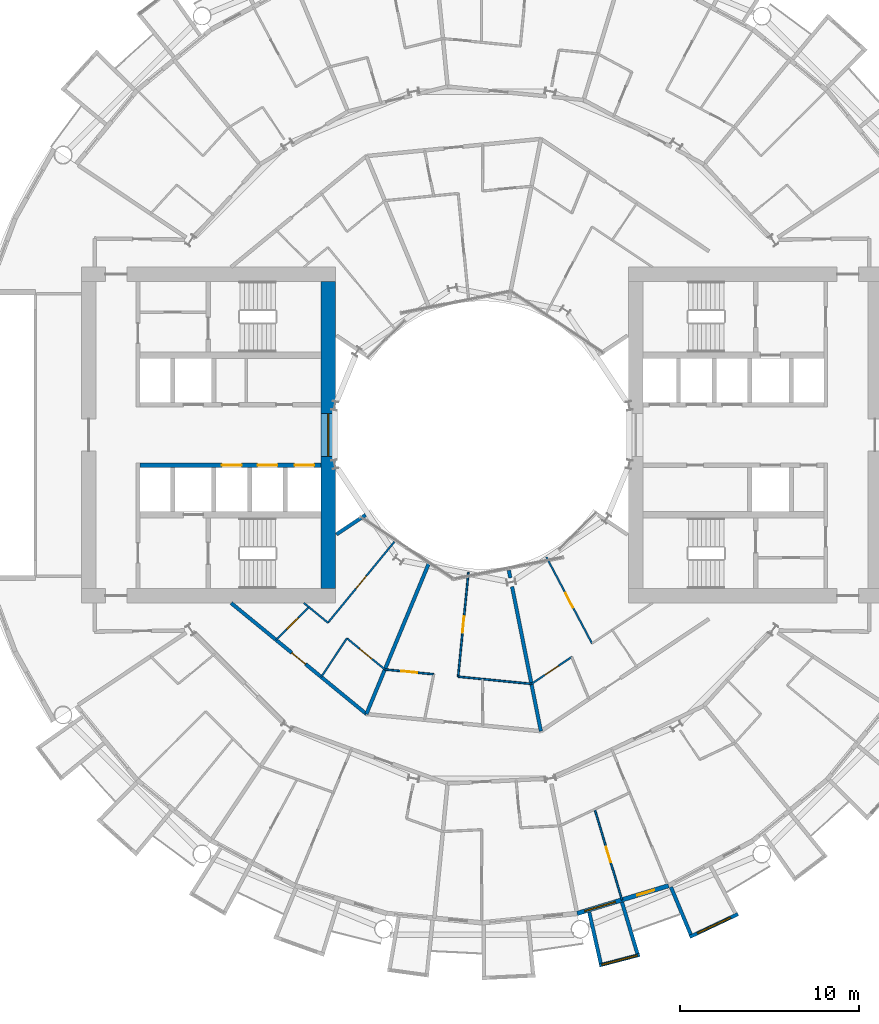
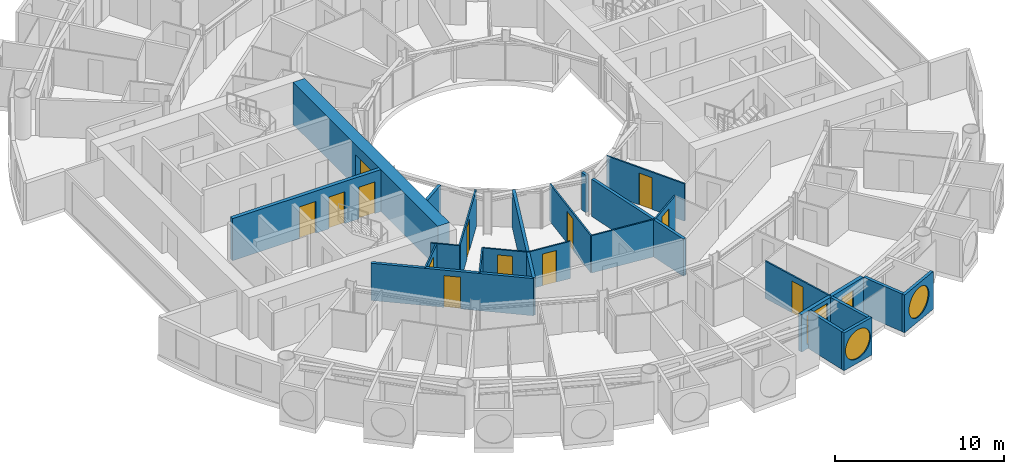
# One storey, part 15 of 26: 24 walls, 13 doors, 4 windows, 17 openings.
"""IFC4 building model written with IfcOpenShell, lengths in metres."""

from ifc_helpers import new_model, si_unit, direction, frame, frame_2d, origin, place, context, subcontext, project, spatial, rectangle, circle, extrude, material, layer, layer_set, type_object, element, fill, save


model = new_model("IFC4")

# Units and contexts
model_context = context("Model", 3, precision=1e-05, world=origin(), true_north=direction((0.0, 1.0)))
body_context = subcontext(model_context, "Body", "Model", "MODEL_VIEW")
ifc_project = project(units=[si_unit("LENGTHUNIT", "METRE"), si_unit("AREAUNIT", "SQUARE_METRE"), si_unit("VOLUMEUNIT", "CUBIC_METRE"), si_unit("PLANEANGLEUNIT", "RADIAN"), si_unit("MASSUNIT", "GRAM", prefix="KILO")], contexts=[model_context])

# Site, building, storey
site_placement = place(None, origin())
site = spatial("IfcSite", under=ifc_project, at=site_placement, CompositionType="ELEMENT")
building_placement = place(site_placement, origin())
building = spatial("IfcBuilding", under=site, at=building_placement, Name="Maasbend Ring Residences", CompositionType="ELEMENT")
storey_placement = place(building_placement, frame((0.0, 0.0, 22.800048828125)))
storey = spatial("IfcBuildingStorey", under=building, at=storey_placement, Name="L05", CompositionType="ELEMENT", Elevation=22.800048828125)

# Wall, openings, doors
ifc_material_1 = material(Name="Concrete C70/85", Category="concrete")
ifc_layer_1 = layer(ifc_material_1, 0.25)
ifc_layer_set_1 = layer_set([ifc_layer_1], Name="Concrete C70/85")
wall_type_1 = type_object("IfcWallType", Name="CORE WALL 250 C70/85", PredefinedType="SHEAR", material=ifc_layer_set_1)
wall_1_placement = place(storey_placement, frame((-9.0, -1.699951171875, 0.0), z_axis=(0.0, 0.0, 1.0), x_axis=(-1.0, 0.0, 0.0)))
wall_1 = element("IfcWall", 1, at=wall_1_placement, inside=storey, type_object=wall_type_1, Name="L05 core W wall SPN", PredefinedType="SHEAR", context=body_context, shape_type="SweptSolid", body=[
    extrude(rectangle(XDim=10.14990234375, YDim=0.25, at=frame_2d((5.074951171875, 0.0))), origin(), (0.0, 0.0, 1.0), 3.050048828125),
])
opening_1_placement = place(wall_1_placement, frame((0.387451171875, 0.0, 0.0)))
opening_1 = element("IfcOpeningElement", 2, at=opening_1_placement, cuts=wall_1, Name="Opening LD-W0501", PredefinedType="OPENING", context=body_context, shape_type="SweptSolid", body=[
    extrude(rectangle(XDim=1.10009765625, YDim=2.300048828125, at=frame_2d((0.550048828125, 1.14990234375))), frame((0.0, 0.135009765625, 0.0), z_axis=(0.0, -1.0, 0.0), x_axis=(1.0, 0.0, 0.0)), (0.0, 0.0, 1.0), 0.27001953125),
])
opening_2_placement = place(wall_1_placement, frame((2.449951171875, 0.0, 0.0)))
opening_2 = element("IfcOpeningElement", 3, at=opening_2_placement, cuts=wall_1, Name="Opening LD-W0502", PredefinedType="OPENING", context=body_context, shape_type="SweptSolid", body=[
    extrude(rectangle(XDim=1.10009765625, YDim=2.300048828125, at=frame_2d((0.550048828125, 1.14990234375))), frame((0.0, 0.135009765625, 0.0), z_axis=(0.0, -1.0, 0.0), x_axis=(1.0, 0.0, 0.0)), (0.0, 0.0, 1.0), 0.27001953125),
])
opening_3_placement = place(wall_1_placement, frame((4.449951171875, 0.0, 0.0)))
opening_3 = element("IfcOpeningElement", 4, at=opening_3_placement, cuts=wall_1, Name="Opening LD-W0503", PredefinedType="OPENING", context=body_context, shape_type="SweptSolid", body=[
    extrude(rectangle(XDim=1.10009765625, YDim=2.300048828125, at=frame_2d((0.550048828125, 1.14990234375))), frame((0.0, 0.135009765625, 0.0), z_axis=(0.0, -1.0, 0.0), x_axis=(1.0, 0.0, 0.0)), (0.0, 0.0, 1.0), 0.27001953125),
])
ifc_material_2 = material(Name="Stainless steel 316", Category="steel")
door_type_1 = type_object("IfcDoorType", Name="LANDING DOOR 1100 X 2300 FD60", OperationType="DOUBLE_DOOR_SLIDING", PredefinedType="DOOR", material=ifc_material_2)
door_1_placement = place(opening_1_placement, origin())
door_1 = element("IfcDoor", 5, at=door_1_placement, inside=storey, type_object=door_type_1, Name="Landing door LR-W1 L05", OperationType="DOUBLE_DOOR_SLIDING", OverallHeight=2.300048828125, OverallWidth=1.10009765625, PredefinedType="DOOR", context=body_context, shape_type="SweptSolid", body=[
    extrude(rectangle(XDim=1.10009765625, YDim=2.300048828125, at=frame_2d((0.550048828125, 1.14990234375))), frame((0.0, 0.02490234375, 0.0), z_axis=(0.0, -1.0, 0.0), x_axis=(1.0, 0.0, 0.0)), (0.0, 0.0, 1.0), 0.050048828125),
])
fill(opening_1, door_1)
door_2_placement = place(opening_2_placement, origin())
door_2 = element("IfcDoor", 6, at=door_2_placement, inside=storey, type_object=door_type_1, Name="Landing door LR-W2 L05", OperationType="DOUBLE_DOOR_SLIDING", OverallHeight=2.300048828125, OverallWidth=1.10009765625, PredefinedType="DOOR", context=body_context, shape_type="SweptSolid", body=[
    extrude(rectangle(XDim=1.10009765625, YDim=2.300048828125, at=frame_2d((0.550048828125, 1.14990234375))), frame((0.0, 0.02490234375, 0.0), z_axis=(0.0, -1.0, 0.0), x_axis=(1.0, 0.0, 0.0)), (0.0, 0.0, 1.0), 0.050048828125),
])
fill(opening_2, door_2)
door_3_placement = place(opening_3_placement, origin())
door_3 = element("IfcDoor", 7, at=door_3_placement, inside=storey, type_object=door_type_1, Name="Landing door LR-W3 L05", OperationType="DOUBLE_DOOR_SLIDING", OverallHeight=2.300048828125, OverallWidth=1.10009765625, PredefinedType="DOOR", context=body_context, shape_type="SweptSolid", body=[
    extrude(rectangle(XDim=1.10009765625, YDim=2.300048828125, at=frame_2d((0.550048828125, 1.14990234375))), frame((0.0, 0.02490234375, 0.0), z_axis=(0.0, -1.0, 0.0), x_axis=(1.0, 0.0, 0.0)), (0.0, 0.0, 1.0), 0.050048828125),
])
fill(opening_3, door_3)

# Wall, opening, window
ifc_material_3 = material(Name="Concrete C70/85", Category="concrete")
ifc_layer_2 = layer(ifc_material_3, 0.800048828125)
ifc_layer_set_2 = layer_set([ifc_layer_2], Name="Concrete C70/85")
wall_type_2 = type_object("IfcWallType", Name="CORE WALL 800 C70/85", PredefinedType="SHEAR", material=ifc_layer_set_2)
wall_2_placement = place(storey_placement, frame((-8.60009765625, 8.60009765625, 0.0), z_axis=(0.0, 0.0, 1.0), x_axis=(0.0, -1.0, 0.0)))
wall_2 = element("IfcWall", 8, at=wall_2_placement, inside=storey, type_object=wall_type_2, Name="L05 core W wall PIN", PredefinedType="SHEAR", context=body_context, shape_type="SweptSolid", body=[
    extrude(rectangle(XDim=17.2001953125, YDim=0.800048828125, at=frame_2d((8.60009765625, 0.0))), origin(), (0.0, 0.0, 1.0), 3.050048828125),
])
opening_4_placement = place(wall_2_placement, frame((7.39990234375, 0.0, 0.10009765625)))
opening_4 = element("IfcOpeningElement", 9, at=opening_4_placement, cuts=wall_2, Name="Opening W-W0501", PredefinedType="OPENING", context=body_context, shape_type="SweptSolid", body=[
    extrude(rectangle(XDim=2.39990234375, YDim=2.199951171875, at=frame_2d((1.199951171875, 1.10009765625))), frame((0.0, 0.41015625, 0.0), z_axis=(0.0, -1.0, 0.0), x_axis=(1.0, 0.0, 0.0)), (0.0, 0.0, 1.0), 0.820068359375),
])
ifc_material_4 = material(Name="Aluminium frame and clear glass", Category="aluminium")
window_type_1 = type_object("IfcWindowType", Name="FIXED WINDOW 2400 X 2200", PartitioningType="SINGLE_PANEL", PredefinedType="WINDOW", material=ifc_material_4)
window_1_placement = place(opening_4_placement, origin())
window_1 = element("IfcWindow", 10, at=window_1_placement, inside=storey, type_object=window_type_1, Name="Lobby window L05", OverallHeight=2.199951171875, OverallWidth=2.39990234375, PartitioningType="SINGLE_PANEL", PredefinedType="WINDOW", context=body_context, shape_type="SweptSolid", body=[
    extrude(rectangle(XDim=2.39990234375, YDim=2.199951171875, at=frame_2d((1.199951171875, 1.10009765625))), frame((0.0, 0.030029296875, 0.0), z_axis=(0.0, -1.0, 0.0), x_axis=(1.0, 0.0, 0.0)), (0.0, 0.0, 1.0), 0.06005859375),
])
fill(opening_4, window_1)

# Wall, opening, door
ifc_material_5 = material(Name="Concrete C30/37", Category="concrete")
ifc_layer_3 = layer(ifc_material_5, 0.199951171875)
ifc_layer_set_3 = layer_set([ifc_layer_3], Name="Concrete C30/37")
wall_type_3 = type_object("IfcWallType", Name="CORRIDOR WALL 200 CONCRETE", PredefinedType="PARTITIONING", material=ifc_layer_set_3)
wall_3_placement = place(storey_placement, frame((-14.0380859375, -9.402099609375, 0.0), z_axis=(0.0, 0.0, 1.0), x_axis=(0.773084654695, -0.634302858794, 0.0)))
wall_3 = element("IfcWall", 11, at=wall_3_placement, inside=storey, type_object=wall_type_3, Name="U-L05-w018", PredefinedType="PARTITIONING", context=body_context, shape_type="SweptSolid", body=[
    extrude(rectangle(XDim=9.793212890625, YDim=0.199951171875, at=frame_2d((4.896484375, 0.0))), origin(), (0.0, 0.0, 1.0), 2.699951171875),
])
opening_5_placement = place(wall_3_placement, frame((4.386962890625, 0.0, 0.0)))
opening_5 = element("IfcOpeningElement", 12, at=opening_5_placement, cuts=wall_3, Name="Opening D-0553", PredefinedType="OPENING", context=body_context, shape_type="SweptSolid", body=[
    extrude(rectangle(XDim=1.0, YDim=2.300048828125, at=frame_2d((0.5, 1.14990234375))), frame((0.0, 0.10986328125, 0.0), z_axis=(0.0, -1.0, 0.0), x_axis=(1.0, 0.0, 0.0)), (0.0, 0.0, 1.0), 0.219970703125),
])
ifc_material_6 = material(Name="Timber, fire-rated, painted", Category="wood")
door_type_2 = type_object("IfcDoorType", Name="FLAT ENTRANCE DOOR 1000 X 2300 FIRE-RATED", OperationType="NOTDEFINED", PredefinedType="DOOR", material=ifc_material_6)
door_4_placement = place(opening_5_placement, origin())
door_4 = element("IfcDoor", 13, at=door_4_placement, inside=storey, type_object=door_type_2, Name="D-0553", OperationType="SINGLE_SWING_LEFT", OverallHeight=2.300048828125, OverallWidth=1.0, PredefinedType="DOOR", context=body_context, shape_type="SweptSolid", body=[
    extrude(rectangle(XDim=1.0, YDim=2.300048828125, at=frame_2d((0.5, 1.14990234375))), frame((0.0, 0.02490234375, 0.0), z_axis=(0.0, -1.0, 0.0), x_axis=(1.0, 0.0, 0.0)), (0.0, 0.0, 1.0), 0.050048828125),
])
fill(opening_5, door_4)

# Wall, opening, window
ifc_material_7 = material(Name="Pale anodised aluminium panel", Category="aluminium")
ifc_layer_4 = layer(ifc_material_7, 0.199951171875)
ifc_layer_set_4 = layer_set([ifc_layer_4], Name="EW-BOX")
wall_type_4 = type_object("IfcWallType", Name="EW-BOX", PredefinedType="SOLIDWALL", material=ifc_layer_set_4)
wall_4_placement = place(storey_placement, frame((6.568115234375, -29.681884765625, -0.030029296875), z_axis=(0.0, 0.0, 1.0), x_axis=(0.967377102346, 0.253340762326, 0.0)))
wall_4 = element("IfcWall", 14, at=wall_4_placement, inside=storey, type_object=wall_type_4, Name="Box front S13", PredefinedType="SOLIDWALL", context=body_context, shape_type="SweptSolid", body=[
    extrude(rectangle(XDim=2.3359375, YDim=0.199951171875, at=frame_2d((1.16796875, 0.0))), origin(), (0.0, 0.0, 1.0), 2.72998046875),
])
opening_6_placement = place(wall_4_placement, frame((0.128173828125, 0.0, 0.330078125)))
opening_6 = element("IfcOpeningElement", 15, at=opening_6_placement, cuts=wall_4, Name="Opening W-RD", PredefinedType="OPENING", context=body_context, shape_type="SweptSolid", body=[
    extrude(circle(Radius=1.0400390625, at=frame_2d((1.0400390625, 1.0400390625))), frame((0.0, 0.10986328125, 0.0), z_axis=(0.0, -1.0, 0.0), x_axis=(1.0, 0.0, 0.0)), (0.0, 0.0, 1.0), 0.219970703125),
])
ifc_material_8 = material(Name="Aluminium and clear glass", Category="aluminium")
window_type_2 = type_object("IfcWindowType", Name="W-RD", PartitioningType="SINGLE_PANEL", PredefinedType="WINDOW", material=ifc_material_8)
window_2_placement = place(opening_6_placement, origin())
window_2 = element("IfcWindow", 16, at=window_2_placement, inside=storey, type_object=window_type_2, Name="Round window S13", OverallHeight=2.080078125, OverallWidth=2.080078125, PartitioningType="SINGLE_PANEL", PredefinedType="WINDOW", context=body_context, shape_type="SweptSolid", body=[
    extrude(circle(Radius=1.0400390625, at=frame_2d((1.0400390625, 1.0400390625))), frame((0.0, 0.030029296875, 0.0), z_axis=(0.0, -1.0, 0.0), x_axis=(1.0, 0.0, 0.0)), (0.0, 0.0, 1.0), 0.06005859375),
])
fill(opening_6, window_2)

# Walls
wall_5_placement = place(storey_placement, frame((6.00390625, -26.699951171875, -0.030029296875), z_axis=(0.0, 0.0, 1.0), x_axis=(0.219609259383, -0.975587911566, 0.0)))
element("IfcWall", 17, at=wall_5_placement, inside=storey, type_object=wall_type_4, Name="Box side wall S13 left", PredefinedType="SOLIDWALL", context=body_context, shape_type="SweptSolid", body=[
    extrude(rectangle(XDim=2.9326171875, YDim=0.199951171875, at=frame_2d((1.46630859375, 0.0))), origin(), (0.0, 0.0, 1.0), 2.72998046875),
])
wall_6_placement = place(storey_placement, frame((7.8369140625, -26.14404296875, -0.030029296875), z_axis=(0.0, 0.0, 1.0), x_axis=(0.287064767992, -0.957911174889, 0.0)))
element("IfcWall", 18, at=wall_6_placement, inside=storey, type_object=wall_type_4, Name="Box side wall S13 right", PredefinedType="SOLIDWALL", context=body_context, shape_type="SweptSolid", body=[
    extrude(rectangle(XDim=3.00634765625, YDim=0.199951171875, at=frame_2d((1.503173828125, 0.0))), origin(), (0.0, 0.0, 1.0), 2.72998046875),
])

# Wall, opening, window
wall_7_placement = place(storey_placement, frame((11.62890625, -28.087890625, -0.030029296875), z_axis=(0.0, 0.0, 1.0), x_axis=(0.904000060331, 0.427532327342, 0.0)))
wall_7 = element("IfcWall", 19, at=wall_7_placement, inside=storey, type_object=wall_type_4, Name="Box front S15", PredefinedType="SOLIDWALL", context=body_context, shape_type="SweptSolid", body=[
    extrude(rectangle(XDim=2.993408203125, YDim=0.199951171875, at=frame_2d((1.49658203125, 0.0))), origin(), (0.0, 0.0, 1.0), 2.72998046875),
])
opening_7_placement = place(wall_7_placement, frame((0.45654296875, 0.0, 0.330078125)))
opening_7 = element("IfcOpeningElement", 20, at=opening_7_placement, cuts=wall_7, Name="Opening W-RD", PredefinedType="OPENING", context=body_context, shape_type="SweptSolid", body=[
    extrude(circle(Radius=1.0400390625, at=frame_2d((1.0400390625, 1.0400390625))), frame((0.0, 0.10986328125, 0.0), z_axis=(0.0, -1.0, 0.0), x_axis=(1.0, 0.0, 0.0)), (0.0, 0.0, 1.0), 0.219970703125),
])
window_3_placement = place(opening_7_placement, origin())
window_3 = element("IfcWindow", 21, at=window_3_placement, inside=storey, type_object=window_type_2, Name="Round window S15", OverallHeight=2.080078125, OverallWidth=2.080078125, PartitioningType="SINGLE_PANEL", PredefinedType="WINDOW", context=body_context, shape_type="SweptSolid", body=[
    extrude(circle(Radius=1.0400390625, at=frame_2d((1.0400390625, 1.0400390625))), frame((0.0, 0.030029296875, 0.0), z_axis=(0.0, -1.0, 0.0), x_axis=(1.0, 0.0, 0.0)), (0.0, 0.0, 1.0), 0.06005859375),
])
fill(opening_7, window_3)

# Wall
wall_8_placement = place(storey_placement, frame((10.574951171875, -25.294921875, -0.030029296875), z_axis=(0.0, 0.0, 1.0), x_axis=(0.385697364644, -0.922625353492, 0.0)))
element("IfcWall", 22, at=wall_8_placement, inside=storey, type_object=wall_type_4, Name="Box side wall S15 left", PredefinedType="SOLIDWALL", context=body_context, shape_type="SweptSolid", body=[
    extrude(rectangle(XDim=2.88330078125, YDim=0.199951171875, at=frame_2d((1.441650390625, 0.0))), origin(), (0.0, 0.0, 1.0), 2.72998046875),
])

# Wall, openings, door, window
ifc_material_9 = material(Name="Aluminium clad insulated panel", Category="aluminium")
ifc_layer_5 = layer(ifc_material_9, 0.25)
ifc_layer_set_5 = layer_set([ifc_layer_5], Name="EW-GL")
wall_type_5 = type_object("IfcWallType", Name="EW-GL", PredefinedType="SOLIDWALL", material=ifc_layer_set_5)
wall_9_placement = place(storey_placement, frame((5.325927734375, -26.77490234375, 0.0), z_axis=(0.0, 0.0, 1.0), x_axis=(0.956965678721, 0.290201119486, 0.0)))
wall_9 = element("IfcWall", 23, at=wall_9_placement, inside=storey, type_object=wall_type_5, Name="External wall S07", PredefinedType="SOLIDWALL", context=body_context, shape_type="SweptSolid", body=[
    extrude(rectangle(XDim=5.351318359375, YDim=0.25, at=frame_2d((2.67578125, 0.0))), origin(), (0.0, 0.0, 1.0), 2.699951171875),
])
opening_8_placement = place(wall_9_placement, frame((0.441162109375, 0.0, 0.300048828125)))
opening_8 = element("IfcOpeningElement", 24, at=opening_8_placement, cuts=wall_9, Name="Opening W-BX", PredefinedType="OPENING", context=body_context, shape_type="SweptSolid", body=[
    extrude(rectangle(XDim=1.800048828125, YDim=2.10009765625, at=frame_2d((0.89990234375, 1.050048828125))), frame((0.0, 0.135009765625, 0.0), z_axis=(0.0, -1.0, 0.0), x_axis=(1.0, 0.0, 0.0)), (0.0, 0.0, 1.0), 0.27001953125),
])
opening_9_placement = place(wall_9_placement, frame((3.510498046875, 0.0, 0.0)))
opening_9 = element("IfcOpeningElement", 25, at=opening_9_placement, cuts=wall_9, Name="Opening D-LG", PredefinedType="OPENING", context=body_context, shape_type="SweptSolid", body=[
    extrude(rectangle(XDim=1.0, YDim=2.199951171875, at=frame_2d((0.5, 1.10009765625))), frame((0.0, 0.135009765625, 0.0), z_axis=(0.0, -1.0, 0.0), x_axis=(1.0, 0.0, 0.0)), (0.0, 0.0, 1.0), 0.27001953125),
])
ifc_material_10 = material(Name="Aluminium and clear glass", Category="aluminium")
door_type_3 = type_object("IfcDoorType", Name="D-LG", OperationType="SINGLE_SWING_LEFT", PredefinedType="DOOR", material=ifc_material_10)
door_5_placement = place(opening_9_placement, origin())
door_5 = element("IfcDoor", 26, at=door_5_placement, inside=storey, type_object=door_type_3, Name="Loggia door S14", OperationType="SINGLE_SWING_LEFT", OverallHeight=2.199951171875, OverallWidth=1.0, PredefinedType="DOOR", context=body_context, shape_type="SweptSolid", body=[
    extrude(rectangle(XDim=1.0, YDim=2.199951171875, at=frame_2d((0.5, 1.10009765625))), frame((0.0, 0.02490234375, 0.0), z_axis=(0.0, -1.0, 0.0), x_axis=(1.0, 0.0, 0.0)), (0.0, 0.0, 1.0), 0.050048828125),
])
fill(opening_9, door_5)
ifc_material_11 = material(Name="Aluminium and clear glass", Category="aluminium")
window_type_3 = type_object("IfcWindowType", Name="W-BX", PartitioningType="DOUBLE_PANEL_VERTICAL", PredefinedType="WINDOW", material=ifc_material_11)
window_4_placement = place(opening_8_placement, origin())
window_4 = element("IfcWindow", 27, at=window_4_placement, inside=storey, type_object=window_type_3, Name="Window S13 room to box", OverallHeight=2.10009765625, OverallWidth=1.800048828125, PartitioningType="SINGLE_PANEL", PredefinedType="WINDOW", context=body_context, shape_type="SweptSolid", body=[
    extrude(rectangle(XDim=1.800048828125, YDim=2.10009765625, at=frame_2d((0.89990234375, 1.050048828125))), frame((0.0, 0.030029296875, 0.0), z_axis=(0.0, -1.0, 0.0), x_axis=(1.0, 0.0, 0.0)), (0.0, 0.0, 1.0), 0.06005859375),
])
fill(opening_8, window_4)

# Wall
ifc_material_12 = material(Name="Gypsum board on steel studs", Category="steel")
ifc_layer_6 = layer(ifc_material_12, 0.10009765625)
ifc_layer_set_6 = layer_set([ifc_layer_6], Name="PARTITION 100 GYPSUM")
wall_type_6 = type_object("IfcWallType", Name="PARTITION 100 GYPSUM", PredefinedType="PARTITIONING", material=ifc_layer_set_6)
wall_10_placement = place(storey_placement, frame((-9.970947265625, -9.39599609375, 0.0), z_axis=(0.0, 0.0, 1.0), x_axis=(0.77321028337, -0.634149712363, 0.0)))
element("IfcWall", 28, at=wall_10_placement, inside=storey, type_object=wall_type_6, Name="U-L05-w021", PredefinedType="PARTITIONING", context=body_context, shape_type="SweptSolid", body=[
    extrude(rectangle(XDim=1.74853515625, YDim=0.10009765625, at=frame_2d((0.874267578125, 0.0))), origin(), (0.0, 0.0, 1.0), 2.699951171875),
])

# Wall, opening, door
wall_11_placement = place(storey_placement, frame((-7.55810546875, -11.3759765625, 0.0), z_axis=(0.0, 0.0, 1.0), x_axis=(0.773049907698, -0.634345205868, 0.0)))
wall_11 = element("IfcWall", 29, at=wall_11_placement, inside=storey, type_object=wall_type_6, Name="U-L05-w022", PredefinedType="PARTITIONING", context=body_context, shape_type="SweptSolid", body=[
    extrude(rectangle(XDim=2.74755859375, YDim=0.10009765625, at=frame_2d((1.373779296875, 0.0))), origin(), (0.0, 0.0, 1.0), 2.699951171875),
])
opening_10_placement = place(wall_11_placement, frame((0.924072265625, 0.0, 0.0)))
opening_10 = element("IfcOpeningElement", 30, at=opening_10_placement, cuts=wall_11, Name="Opening D-0554", PredefinedType="OPENING", context=body_context, shape_type="SweptSolid", body=[
    extrude(rectangle(XDim=0.89990234375, YDim=2.300048828125, at=frame_2d((0.449951171875, 1.14990234375))), frame((0.0, 0.06005859375, 0.0), z_axis=(0.0, -1.0, 0.0), x_axis=(1.0, 0.0, 0.0)), (0.0, 0.0, 1.0), 0.1201171875),
])
ifc_material_13 = material(Name="Timber, painted", Category="wood")
door_type_4 = type_object("IfcDoorType", Name="INTERNAL DOOR 900 X 2300", OperationType="NOTDEFINED", PredefinedType="DOOR", material=ifc_material_13)
door_6_placement = place(opening_10_placement, origin())
door_6 = element("IfcDoor", 31, at=door_6_placement, inside=storey, type_object=door_type_4, Name="D-0554", OperationType="SINGLE_SWING_LEFT", OverallHeight=2.300048828125, OverallWidth=0.89990234375, PredefinedType="DOOR", context=body_context, shape_type="SweptSolid", body=[
    extrude(rectangle(XDim=0.89990234375, YDim=2.300048828125, at=frame_2d((0.449951171875, 1.14990234375))), frame((0.0, 0.02490234375, 0.0), z_axis=(0.0, -1.0, 0.0), x_axis=(1.0, 0.0, 0.0)), (0.0, 0.0, 1.0), 0.050048828125),
])
fill(opening_10, door_6)

wall_12_placement = place(storey_placement, frame((-5.43408203125, -13.1201171875, 0.0), z_axis=(0.0, 0.0, 1.0), x_axis=(0.99520549403, -0.097806056318, 0.0)))
wall_12 = element("IfcWall", 32, at=wall_12_placement, inside=storey, type_object=wall_type_6, Name="U-L05-w023", PredefinedType="PARTITIONING", context=body_context, shape_type="SweptSolid", body=[
    extrude(rectangle(XDim=2.748291015625, YDim=0.10009765625, at=frame_2d((1.3740234375, 0.0))), origin(), (0.0, 0.0, 1.0), 2.699951171875),
])
opening_11_placement = place(wall_12_placement, frame((0.924072265625, 0.0, 0.0)))
opening_11 = element("IfcOpeningElement", 33, at=opening_11_placement, cuts=wall_12, Name="Opening D-0558", PredefinedType="OPENING", context=body_context, shape_type="SweptSolid", body=[
    extrude(rectangle(XDim=0.89990234375, YDim=2.300048828125, at=frame_2d((0.449951171875, 1.14990234375))), frame((0.0, 0.06005859375, 0.0), z_axis=(0.0, -1.0, 0.0), x_axis=(1.0, 0.0, 0.0)), (0.0, 0.0, 1.0), 0.1201171875),
])
door_7_placement = place(opening_11_placement, origin())
door_7 = element("IfcDoor", 34, at=door_7_placement, inside=storey, type_object=door_type_4, Name="D-0558", OperationType="SINGLE_SWING_LEFT", OverallHeight=2.300048828125, OverallWidth=0.89990234375, PredefinedType="DOOR", context=body_context, shape_type="SweptSolid", body=[
    extrude(rectangle(XDim=0.89990234375, YDim=2.300048828125, at=frame_2d((0.449951171875, 1.14990234375))), frame((0.0, 0.02490234375, 0.0), z_axis=(0.0, -1.0, 0.0), x_axis=(1.0, 0.0, 0.0)), (0.0, 0.0, 1.0), 0.050048828125),
])
fill(opening_11, door_7)

# Wall
wall_13_placement = place(storey_placement, frame((-1.330078125, -13.52392578125, 0.0), z_axis=(0.0, 0.0, 1.0), x_axis=(0.995206960104, -0.097791137432, 0.0)))
element("IfcWall", 35, at=wall_13_placement, inside=storey, type_object=wall_type_6, Name="U-L05-w024", PredefinedType="PARTITIONING", context=body_context, shape_type="SweptSolid", body=[
    extrude(rectangle(XDim=4.121826171875, YDim=0.10009765625, at=frame_2d((2.06103515625, 0.0))), origin(), (0.0, 0.0, 1.0), 2.699951171875),
])

# Wall, opening, door
wall_14_placement = place(storey_placement, frame((2.77001953125, -13.927001953125, 0.0), z_axis=(0.0, 0.0, 1.0), x_axis=(0.831538390496, 0.555467285384, 0.0)))
wall_14 = element("IfcWall", 36, at=wall_14_placement, inside=storey, type_object=wall_type_6, Name="U-L05-w025", PredefinedType="PARTITIONING", context=body_context, shape_type="SweptSolid", body=[
    extrude(rectangle(XDim=2.716796875, YDim=0.10009765625, at=frame_2d((1.3583984375, 0.0))), origin(), (0.0, 0.0, 1.0), 2.699951171875),
])
opening_12_placement = place(wall_14_placement, frame((0.907958984375, 0.0, 0.0)))
opening_12 = element("IfcOpeningElement", 37, at=opening_12_placement, cuts=wall_14, Name="Opening D-0562", PredefinedType="OPENING", context=body_context, shape_type="SweptSolid", body=[
    extrude(rectangle(XDim=0.89990234375, YDim=2.300048828125, at=frame_2d((0.449951171875, 1.14990234375))), frame((0.0, 0.06005859375, 0.0), z_axis=(0.0, -1.0, 0.0), x_axis=(1.0, 0.0, 0.0)), (0.0, 0.0, 1.0), 0.1201171875),
])
door_8_placement = place(opening_12_placement, origin())
door_8 = element("IfcDoor", 38, at=door_8_placement, inside=storey, type_object=door_type_4, Name="D-0562", OperationType="SINGLE_SWING_RIGHT", OverallHeight=2.300048828125, OverallWidth=0.89990234375, PredefinedType="DOOR", context=body_context, shape_type="SweptSolid", body=[
    extrude(rectangle(XDim=0.89990234375, YDim=2.300048828125, at=frame_2d((0.449951171875, 1.14990234375))), frame((0.0, 0.02490234375, 0.0), z_axis=(0.0, -1.0, 0.0), x_axis=(1.0, 0.0, 0.0)), (0.0, 0.0, 1.0), 0.050048828125),
])
fill(opening_12, door_8)

wall_15_placement = place(storey_placement, frame((-11.52392578125, -11.464111328125, 0.0), z_axis=(0.0, 0.0, 1.0), x_axis=(0.708796844581, 0.705412668665, 0.0)))
wall_15 = element("IfcWall", 39, at=wall_15_placement, inside=storey, type_object=wall_type_6, Name="U-L05-w045", PredefinedType="PARTITIONING", context=body_context, shape_type="SweptSolid", body=[
    extrude(rectangle(XDim=2.59716796875, YDim=0.10009765625, at=frame_2d((1.298583984375, 0.0))), origin(), (0.0, 0.0, 1.0), 2.699951171875),
])
opening_13_placement = place(wall_15_placement, frame((0.84912109375, 0.0, 0.0)))
opening_13 = element("IfcOpeningElement", 40, at=opening_13_placement, cuts=wall_15, Name="Opening D-0555", PredefinedType="OPENING", context=body_context, shape_type="SweptSolid", body=[
    extrude(rectangle(XDim=0.89990234375, YDim=2.300048828125, at=frame_2d((0.449951171875, 1.14990234375))), frame((0.0, 0.06005859375, 0.0), z_axis=(0.0, -1.0, 0.0), x_axis=(1.0, 0.0, 0.0)), (0.0, 0.0, 1.0), 0.1201171875),
])
door_9_placement = place(opening_13_placement, origin())
door_9 = element("IfcDoor", 41, at=door_9_placement, inside=storey, type_object=door_type_4, Name="D-0555", OperationType="SINGLE_SWING_RIGHT", OverallHeight=2.300048828125, OverallWidth=0.89990234375, PredefinedType="DOOR", context=body_context, shape_type="SweptSolid", body=[
    extrude(rectangle(XDim=0.89990234375, YDim=2.300048828125, at=frame_2d((0.449951171875, 1.14990234375))), frame((0.0, 0.02490234375, 0.0), z_axis=(0.0, -1.0, 0.0), x_axis=(1.0, 0.0, 0.0)), (0.0, 0.0, 1.0), 0.050048828125),
])
fill(opening_13, door_9)

# Wall
wall_16_placement = place(storey_placement, frame((-8.99609375, -13.5390625, 0.0), z_axis=(0.0, 0.0, 1.0), x_axis=(0.553615197403, 0.83277260594, 0.0)))
element("IfcWall", 42, at=wall_16_placement, inside=storey, type_object=wall_type_6, Name="U-L05-w049", PredefinedType="PARTITIONING", context=body_context, shape_type="SweptSolid", body=[
    extrude(rectangle(XDim=2.597412109375, YDim=0.10009765625, at=frame_2d((1.298828125, 0.0))), origin(), (0.0, 0.0, 1.0), 2.699951171875),
])

# Wall, opening, door
wall_17_placement = place(storey_placement, frame((-8.6201171875, -10.50390625, 0.0), z_axis=(0.0, 0.0, 1.0), x_axis=(0.634358693064, 0.773038840249, 0.0)))
wall_17 = element("IfcWall", 43, at=wall_17_placement, inside=storey, type_object=wall_type_6, Name="U-L05-w051", PredefinedType="PARTITIONING", context=body_context, shape_type="SweptSolid", body=[
    extrude(rectangle(XDim=5.86767578125, YDim=0.10009765625, at=frame_2d((2.933837890625, 0.0))), origin(), (0.0, 0.0, 1.0), 2.699951171875),
])
opening_14_placement = place(wall_17_placement, frame((2.48388671875, 0.0, 0.0)))
opening_14 = element("IfcOpeningElement", 44, at=opening_14_placement, cuts=wall_17, Name="Opening D-0556", PredefinedType="OPENING", context=body_context, shape_type="SweptSolid", body=[
    extrude(rectangle(XDim=0.89990234375, YDim=2.300048828125, at=frame_2d((0.449951171875, 1.14990234375))), frame((0.0, 0.06005859375, 0.0), z_axis=(0.0, -1.0, 0.0), x_axis=(1.0, 0.0, 0.0)), (0.0, 0.0, 1.0), 0.1201171875),
])
door_10_placement = place(opening_14_placement, origin())
door_10 = element("IfcDoor", 45, at=door_10_placement, inside=storey, type_object=door_type_4, Name="D-0556", OperationType="SINGLE_SWING_RIGHT", OverallHeight=2.300048828125, OverallWidth=0.89990234375, PredefinedType="DOOR", context=body_context, shape_type="SweptSolid", body=[
    extrude(rectangle(XDim=0.89990234375, YDim=2.300048828125, at=frame_2d((0.449951171875, 1.14990234375))), frame((0.0, 0.02490234375, 0.0), z_axis=(0.0, -1.0, 0.0), x_axis=(1.0, 0.0, 0.0)), (0.0, 0.0, 1.0), 0.050048828125),
])
fill(opening_14, door_10)

wall_18_placement = place(storey_placement, frame((-1.3330078125, -13.52294921875, 0.0), z_axis=(0.0, 0.0, 1.0), x_axis=(0.098144281387, 0.995172196171, 0.0)))
wall_18 = element("IfcWall", 46, at=wall_18_placement, inside=storey, type_object=wall_type_6, Name="U-L05-w062", PredefinedType="PARTITIONING", context=body_context, shape_type="SweptSolid", body=[
    extrude(rectangle(XDim=5.8681640625, YDim=0.10009765625, at=frame_2d((2.93408203125, 0.0))), origin(), (0.0, 0.0, 1.0), 2.699951171875),
])
opening_15_placement = place(wall_18_placement, frame((2.48388671875, 0.0, 0.0)))
opening_15 = element("IfcOpeningElement", 47, at=opening_15_placement, cuts=wall_18, Name="Opening D-0560", PredefinedType="OPENING", context=body_context, shape_type="SweptSolid", body=[
    extrude(rectangle(XDim=0.89990234375, YDim=2.300048828125, at=frame_2d((0.449951171875, 1.14990234375))), frame((0.0, 0.06005859375, 0.0), z_axis=(0.0, -1.0, 0.0), x_axis=(1.0, 0.0, 0.0)), (0.0, 0.0, 1.0), 0.1201171875),
])
door_11_placement = place(opening_15_placement, origin())
door_11 = element("IfcDoor", 48, at=door_11_placement, inside=storey, type_object=door_type_4, Name="D-0560", OperationType="SINGLE_SWING_RIGHT", OverallHeight=2.300048828125, OverallWidth=0.89990234375, PredefinedType="DOOR", context=body_context, shape_type="SweptSolid", body=[
    extrude(rectangle(XDim=0.89990234375, YDim=2.300048828125, at=frame_2d((0.449951171875, 1.14990234375))), frame((0.0, 0.02490234375, 0.0), z_axis=(0.0, -1.0, 0.0), x_axis=(1.0, 0.0, 0.0)), (0.0, 0.0, 1.0), 0.050048828125),
])
fill(opening_15, door_11)

wall_19_placement = place(storey_placement, frame((3.60498046875, -6.826904296875, 0.0), z_axis=(0.0, 0.0, 1.0), x_axis=(0.466976820365, -0.884269556889, 0.0)))
wall_19 = element("IfcWall", 49, at=wall_19_placement, inside=storey, type_object=wall_type_6, Name="U-L05-w073", PredefinedType="PARTITIONING", context=body_context, shape_type="SweptSolid", body=[
    extrude(rectangle(XDim=5.46923828125, YDim=0.10009765625, at=frame_2d((2.734619140625, 0.0))), origin(), (0.0, 0.0, 1.0), 2.699951171875),
])
opening_16_placement = place(wall_19_placement, frame((2.283935546875, 0.0, 0.0)))
opening_16 = element("IfcOpeningElement", 50, at=opening_16_placement, cuts=wall_19, Name="Opening D-0564", PredefinedType="OPENING", context=body_context, shape_type="SweptSolid", body=[
    extrude(rectangle(XDim=0.89990234375, YDim=2.300048828125, at=frame_2d((0.449951171875, 1.14990234375))), frame((0.0, 0.06005859375, 0.0), z_axis=(0.0, -1.0, 0.0), x_axis=(1.0, 0.0, 0.0)), (0.0, 0.0, 1.0), 0.1201171875),
])
door_12_placement = place(opening_16_placement, origin())
door_12 = element("IfcDoor", 51, at=door_12_placement, inside=storey, type_object=door_type_4, Name="D-0564", OperationType="SINGLE_SWING_RIGHT", OverallHeight=2.300048828125, OverallWidth=0.89990234375, PredefinedType="DOOR", context=body_context, shape_type="SweptSolid", body=[
    extrude(rectangle(XDim=0.89990234375, YDim=2.300048828125, at=frame_2d((0.449951171875, 1.14990234375))), frame((0.0, 0.02490234375, 0.0), z_axis=(0.0, -1.0, 0.0), x_axis=(1.0, 0.0, 0.0)), (0.0, 0.0, 1.0), 0.050048828125),
])
fill(opening_16, door_12)

wall_20_placement = place(storey_placement, frame((6.31005859375, -20.945068359375, 0.0), z_axis=(0.0, 0.0, 1.0), x_axis=(0.288484435279, -0.957484585047, 0.0)))
wall_20 = element("IfcWall", 52, at=wall_20_placement, inside=storey, type_object=wall_type_6, Name="U-L05-w079", PredefinedType="PARTITIONING", context=body_context, shape_type="SweptSolid", body=[
    extrude(rectangle(XDim=5.30029296875, YDim=0.10009765625, at=frame_2d((2.650146484375, 0.0))), origin(), (0.0, 0.0, 1.0), 2.699951171875),
])
opening_17_placement = place(wall_20_placement, frame((2.199951171875, 0.0, 0.0)))
opening_17 = element("IfcOpeningElement", 53, at=opening_17_placement, cuts=wall_20, Name="Opening D-0549", PredefinedType="OPENING", context=body_context, shape_type="SweptSolid", body=[
    extrude(rectangle(XDim=0.89990234375, YDim=2.300048828125, at=frame_2d((0.449951171875, 1.14990234375))), frame((0.0, 0.06005859375, 0.0), z_axis=(0.0, -1.0, 0.0), x_axis=(1.0, 0.0, 0.0)), (0.0, 0.0, 1.0), 0.1201171875),
])
door_13_placement = place(opening_17_placement, origin())
door_13 = element("IfcDoor", 54, at=door_13_placement, inside=storey, type_object=door_type_4, Name="D-0549", OperationType="SINGLE_SWING_RIGHT", OverallHeight=2.300048828125, OverallWidth=0.89990234375, PredefinedType="DOOR", context=body_context, shape_type="SweptSolid", body=[
    extrude(rectangle(XDim=0.89990234375, YDim=2.300048828125, at=frame_2d((0.449951171875, 1.14990234375))), frame((0.0, 0.02490234375, 0.0), z_axis=(0.0, -1.0, 0.0), x_axis=(1.0, 0.0, 0.0)), (0.0, 0.0, 1.0), 0.050048828125),
])
fill(opening_17, door_13)

# Walls
ifc_material_14 = material(Name="Concrete C30/37", Category="concrete")
ifc_layer_7 = layer(ifc_material_14, 0.199951171875)
ifc_layer_set_7 = layer_set([ifc_layer_7], Name="Concrete C30/37")
wall_type_7 = type_object("IfcWallType", Name="PARTY WALL 200 CONCRETE", PredefinedType="PARTITIONING", material=ifc_layer_set_7)
wall_21_placement = place(storey_placement, frame((-6.512939453125, -4.471923828125, 0.0), z_axis=(0.0, 0.0, 1.0), x_axis=(-0.831417956244, -0.555647533996, 0.0)))
element("IfcWall", 55, at=wall_21_placement, inside=storey, type_object=wall_type_7, Name="U-L05-w029", PredefinedType="PARTITIONING", context=body_context, shape_type="SweptSolid", body=[
    extrude(rectangle(XDim=1.9619140625, YDim=0.199951171875, at=frame_2d((0.98095703125, 0.0))), origin(), (0.0, 0.0, 1.0), 2.699951171875),
])
wall_22_placement = place(storey_placement, frame((-6.467041015625, -15.614013671875, 0.0), z_axis=(0.0, 0.0, 1.0), x_axis=(0.382646942224, 0.923894646378, 0.0)))
element("IfcWall", 56, at=wall_22_placement, inside=storey, type_object=wall_type_7, Name="U-L05-w054", PredefinedType="PARTITIONING", context=body_context, shape_type="SweptSolid", body=[
    extrude(rectangle(XDim=9.1806640625, YDim=0.199951171875, at=frame_2d((4.59033203125, 0.0))), origin(), (0.0, 0.0, 1.0), 2.699951171875),
])
wall_23_placement = place(storey_placement, frame((1.5048828125, -7.572021484375, 0.0), z_axis=(0.0, 0.0, 1.0), x_axis=(0.195788718323, -0.980646102209, 0.0)))
element("IfcWall", 57, at=wall_23_placement, inside=storey, type_object=wall_type_7, Name="U-L05-w068", PredefinedType="PARTITIONING", context=body_context, shape_type="SweptSolid", body=[
    extrude(rectangle(XDim=0.43017578125, YDim=0.199951171875, at=frame_2d((0.215087890625, 0.0))), origin(), (0.0, 0.0, 1.0), 2.699951171875),
])
wall_24_placement = place(storey_placement, frame((1.68701171875, -8.48388671875, 0.0), z_axis=(0.0, 0.0, 1.0), x_axis=(0.195171317964, -0.980769165831, 0.0)))
element("IfcWall", 58, at=wall_24_placement, inside=storey, type_object=wall_type_7, Name="U-L05-w070", PredefinedType="PARTITIONING", context=body_context, shape_type="SweptSolid", body=[
    extrude(rectangle(XDim=8.249755859375, YDim=0.199951171875, at=frame_2d((4.125, 0.0))), origin(), (0.0, 0.0, 1.0), 2.699951171875),
])

save(model, "model.ifc")
